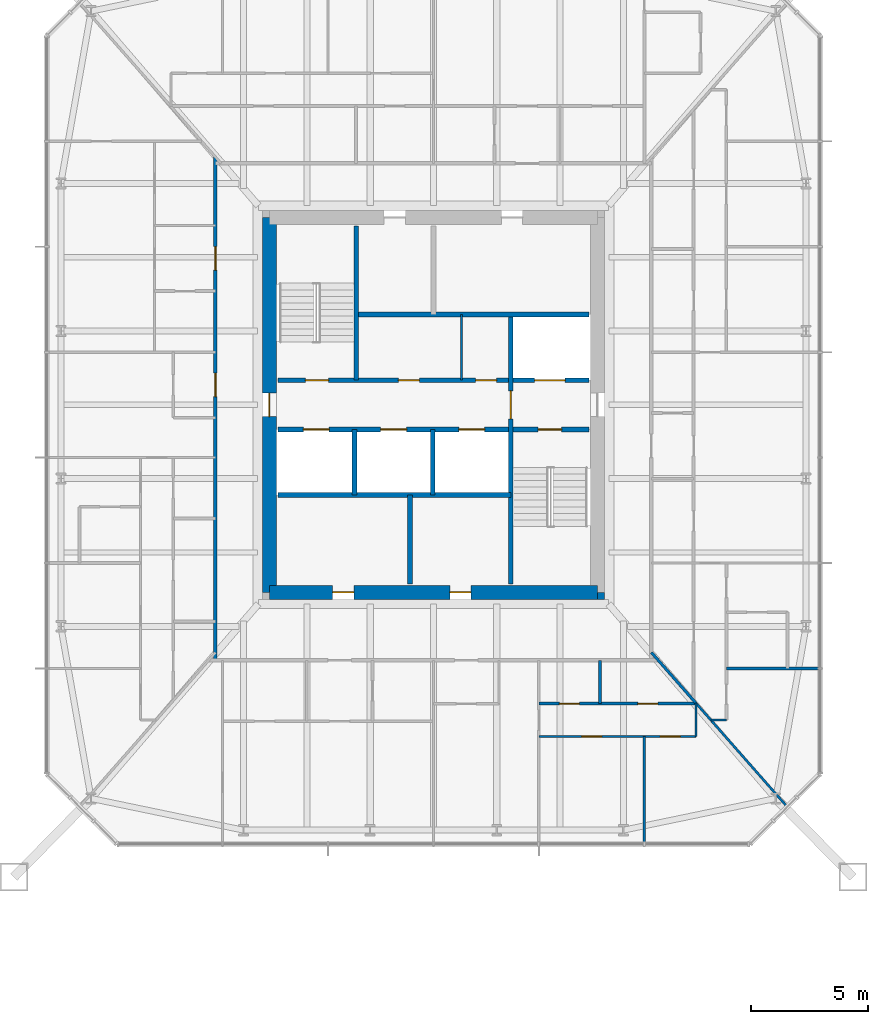
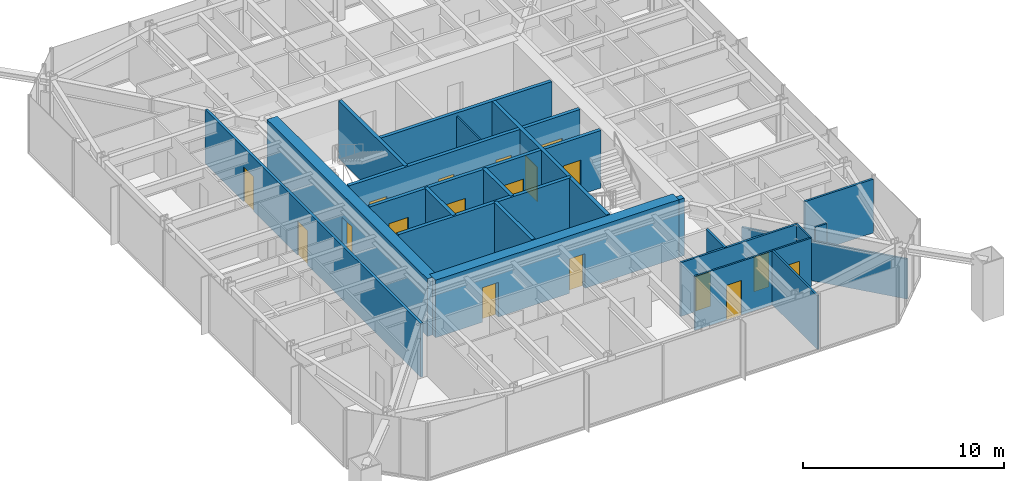
# One storey, part 19 of 26: 23 walls, 18 doors, 18 openings.
"""IFC4 building model written with IfcOpenShell, lengths in metres."""

from ifc_helpers import new_model, si_unit, direction, frame, frame_2d, origin, place, context, subcontext, project, spatial, rectangle, extrude, material, layer, layer_set, type_object, element, fill, save


model = new_model("IFC4")

# Units and contexts
model_context = context("Model", 3, precision=1e-05, world=origin(), true_north=direction((0.0, 1.0)))
body_context = subcontext(model_context, "Body", "Model", "MODEL_VIEW")
ifc_project = project(units=[si_unit("LENGTHUNIT", "METRE"), si_unit("AREAUNIT", "SQUARE_METRE"), si_unit("VOLUMEUNIT", "CUBIC_METRE"), si_unit("PLANEANGLEUNIT", "RADIAN"), si_unit("MASSUNIT", "GRAM", prefix="KILO")], contexts=[model_context])

# Site, building, storey
site_placement = place(None, origin())
site = spatial("IfcSite", under=ifc_project, at=site_placement, CompositionType="ELEMENT")
building_placement = place(site_placement, origin())
building = spatial("IfcBuilding", under=site, at=building_placement, Name="Iwan Alto Co-Living Towers", CompositionType="ELEMENT")
storey_placement = place(building_placement, frame((0.0, 0.0, 60.5)))
storey = spatial("IfcBuildingStorey", under=building, at=storey_placement, Name="L16", CompositionType="ELEMENT", Elevation=60.5)

# Wall, openings, doors
ifc_material_1 = material(Name="Gypsum board")
ifc_layer_1 = layer(ifc_material_1, 0.02490234375, Name="Board", Category="Finish")
ifc_material_2 = material(Name="Steel ASTM A1003 ST33H cold-formed studs", Category="steel")
ifc_layer_2 = layer(ifc_material_2, 0.10009765625, Name="Studs", Category="Framing")
ifc_layer_3 = layer(ifc_material_1, 0.02490234375, Name="Board", Category="Finish")
ifc_layer_set_1 = layer_set([ifc_layer_1, ifc_layer_2, ifc_layer_3], Name="CORRIDOR WALL 150")
wall_type_1 = type_object("IfcWallType", Name="CORRIDOR WALL 150", PredefinedType="PARTITIONING", material=ifc_layer_set_1)
wall_1_placement = place(storey_placement, frame((53.699951171875, -10.89990234375, 0.0), z_axis=(0.0, 0.0, 1.0), x_axis=(0.0, 1.0, 0.0)))
wall_1 = element("IfcWall", 1, at=wall_1_placement, inside=storey, type_object=wall_type_1, Name="Partition L16", PredefinedType="PARTITIONING", context=body_context, shape_type="SweptSolid", body=[
    extrude(rectangle(XDim=21.468017578125, YDim=0.14990234375, at=frame_2d((10.73388671875, 0.0))), origin(), (0.0, 0.0, 1.0), 3.27001953125),
])
opening_1_placement = place(wall_1_placement, frame((16.64990234375, 0.0, 0.0)))
opening_1 = element("IfcOpeningElement", 2, at=opening_1_placement, cuts=wall_1, Name="Opening D3", PredefinedType="OPENING", context=body_context, shape_type="SweptSolid", body=[
    extrude(rectangle(XDim=1.0, YDim=2.10009765625, at=frame_2d((0.5, 1.050048828125))), frame((0.0, 0.0849609375, 0.0), z_axis=(0.0, -1.0, 0.0), x_axis=(1.0, 0.0, 0.0)), (0.0, 0.0, 1.0), 0.169921875),
])
opening_2_placement = place(wall_1_placement, frame((11.25, 0.0, 0.0)))
opening_2 = element("IfcOpeningElement", 3, at=opening_2_placement, cuts=wall_1, Name="Opening D3", PredefinedType="OPENING", context=body_context, shape_type="SweptSolid", body=[
    extrude(rectangle(XDim=1.0, YDim=2.10009765625, at=frame_2d((0.5, 1.050048828125))), frame((0.0, 0.0849609375, 0.0), z_axis=(0.0, -1.0, 0.0), x_axis=(1.0, 0.0, 0.0)), (0.0, 0.0, 1.0), 0.169921875),
])
ifc_material_3 = material(Name="Steel frame with timber leaf", Category="steel")
door_type_1 = type_object("IfcDoorType", Name="FLAT ENTRANCE DOOR FD30S 1000X2100", OperationType="SINGLE_SWING_LEFT", PredefinedType="DOOR", material=ifc_material_3)
door_1_placement = place(opening_1_placement, origin())
door_1 = element("IfcDoor", 4, at=door_1_placement, inside=storey, type_object=door_type_1, Name="Apartment foyer door L16", OperationType="SINGLE_SWING_LEFT", OverallHeight=2.10009765625, OverallWidth=1.0, PredefinedType="DOOR", context=body_context, shape_type="SweptSolid", body=[
    extrude(rectangle(XDim=1.0, YDim=2.10009765625, at=frame_2d((0.5, 1.050048828125))), frame((0.0, 0.02490234375, 0.0), z_axis=(0.0, -1.0, 0.0), x_axis=(1.0, 0.0, 0.0)), (0.0, 0.0, 1.0), 0.050048828125),
])
fill(opening_1, door_1)
door_2_placement = place(opening_2_placement, origin())
door_2 = element("IfcDoor", 5, at=door_2_placement, inside=storey, type_object=door_type_1, Name="Apartment foyer door L16", OperationType="SINGLE_SWING_LEFT", OverallHeight=2.10009765625, OverallWidth=1.0, PredefinedType="DOOR", context=body_context, shape_type="SweptSolid", body=[
    extrude(rectangle(XDim=1.0, YDim=2.10009765625, at=frame_2d((0.5, 1.050048828125))), frame((0.0, 0.02490234375, 0.0), z_axis=(0.0, -1.0, 0.0), x_axis=(1.0, 0.0, 0.0)), (0.0, 0.0, 1.0), 0.050048828125),
])
fill(opening_2, door_2)

ifc_layer_4 = layer(ifc_material_1, 0.012451171875, Name="Board", Category="Finish")
ifc_layer_5 = layer(ifc_material_2, 0.074951171875, Name="Studs", Category="Framing")
ifc_layer_6 = layer(ifc_material_1, 0.012451171875, Name="Board", Category="Finish")
ifc_layer_set_2 = layer_set([ifc_layer_4, ifc_layer_5, ifc_layer_6], Name="PARTITION 100")
wall_type_2 = type_object("IfcWallType", Name="PARTITION 100", PredefinedType="PARTITIONING", material=ifc_layer_set_2)
wall_2_placement = place(storey_placement, frame((67.5, -14.14990234375, 0.0), z_axis=(0.0, 0.0, 1.0), x_axis=(1.0, 0.0, 0.0)))
wall_2 = element("IfcWall", 6, at=wall_2_placement, inside=storey, type_object=wall_type_2, Name="Partition L16", PredefinedType="PARTITIONING", context=body_context, shape_type="SweptSolid", body=[
    extrude(rectangle(XDim=6.699951171875, YDim=0.10009765625, at=frame_2d((3.35009765625, 0.0))), origin(), (0.0, 0.0, 1.0), 3.27001953125),
])
opening_3_placement = place(wall_2_placement, frame((1.824951171875, 0.0, 0.0)))
opening_3 = element("IfcOpeningElement", 7, at=opening_3_placement, cuts=wall_2, Name="Opening D2", PredefinedType="OPENING", context=body_context, shape_type="SweptSolid", body=[
    extrude(rectangle(XDim=0.85009765625, YDim=2.10009765625, at=frame_2d((0.425048828125, 1.050048828125))), frame((0.0, 0.06005859375, 0.0), z_axis=(0.0, -1.0, 0.0), x_axis=(1.0, 0.0, 0.0)), (0.0, 0.0, 1.0), 0.1201171875),
])
opening_4_placement = place(wall_2_placement, frame((5.175048828125, 0.0, 0.0)))
opening_4 = element("IfcOpeningElement", 8, at=opening_4_placement, cuts=wall_2, Name="Opening D2", PredefinedType="OPENING", context=body_context, shape_type="SweptSolid", body=[
    extrude(rectangle(XDim=0.85009765625, YDim=2.10009765625, at=frame_2d((0.425048828125, 1.050048828125))), frame((0.0, 0.06005859375, 0.0), z_axis=(0.0, -1.0, 0.0), x_axis=(1.0, 0.0, 0.0)), (0.0, 0.0, 1.0), 0.1201171875),
])
ifc_material_4 = material(Name="Timber leaf in steel frame", Category="steel")
door_type_2 = type_object("IfcDoorType", Name="ROOM DOOR 850X2100", OperationType="SINGLE_SWING_LEFT", PredefinedType="DOOR", material=ifc_material_4)
door_3_placement = place(opening_3_placement, frame((0.85009765625, 0.0, 0.0), z_axis=(0.0, 0.0, 1.0), x_axis=(-1.0, 0.0, 0.0)))
door_3 = element("IfcDoor", 9, at=door_3_placement, inside=storey, type_object=door_type_2, Name="Study door L16", OperationType="SINGLE_SWING_RIGHT", OverallHeight=2.10009765625, OverallWidth=0.85009765625, PredefinedType="DOOR", context=body_context, shape_type="SweptSolid", body=[
    extrude(rectangle(XDim=0.85009765625, YDim=2.10009765625, at=frame_2d((0.425048828125, 1.050048828125))), frame((0.0, 0.02490234375, 0.0), z_axis=(0.0, -1.0, 0.0), x_axis=(1.0, 0.0, 0.0)), (0.0, 0.0, 1.0), 0.050048828125),
])
fill(opening_3, door_3)
door_4_placement = place(opening_4_placement, frame((0.85009765625, 0.0, 0.0), z_axis=(0.0, 0.0, 1.0), x_axis=(-1.0, 0.0, 0.0)))
door_4 = element("IfcDoor", 10, at=door_4_placement, inside=storey, type_object=door_type_2, Name="Bedroom door L16", OperationType="SINGLE_SWING_RIGHT", OverallHeight=2.10009765625, OverallWidth=0.85009765625, PredefinedType="DOOR", context=body_context, shape_type="SweptSolid", body=[
    extrude(rectangle(XDim=0.85009765625, YDim=2.10009765625, at=frame_2d((0.425048828125, 1.050048828125))), frame((0.0, 0.02490234375, 0.0), z_axis=(0.0, -1.0, 0.0), x_axis=(1.0, 0.0, 0.0)), (0.0, 0.0, 1.0), 0.050048828125),
])
fill(opening_4, door_4)

# Walls
wall_3_placement = place(storey_placement, frame((74.8359375, -13.449951171875, 0.0), z_axis=(0.0, 0.0, 1.0), x_axis=(1.0, 0.0, 0.0)))
element("IfcWall", 11, at=wall_3_placement, inside=storey, type_object=wall_type_2, Name="Partition L16", PredefinedType="PARTITIONING", context=body_context, shape_type="SweptSolid", body=[
    extrude(rectangle(XDim=0.6640625, YDim=0.10009765625, at=frame_2d((0.33203125, 0.0))), origin(), (0.0, 0.0, 1.0), 3.27001953125),
])
wall_4_placement = place(storey_placement, frame((74.199951171875, -14.14990234375, 0.0), z_axis=(0.0, 0.0, 1.0), x_axis=(0.0, 1.0, 0.0)))
element("IfcWall", 12, at=wall_4_placement, inside=storey, type_object=wall_type_2, Name="Partition L16", PredefinedType="PARTITIONING", context=body_context, shape_type="SweptSolid", body=[
    extrude(rectangle(XDim=1.4228515625, YDim=0.10009765625, at=frame_2d((0.71142578125, 0.0))), origin(), (0.0, 0.0, 1.0), 3.27001953125),
])
wall_5_placement = place(storey_placement, frame((72.0, -18.68994140625, 0.0), z_axis=(0.0, 0.0, 1.0), x_axis=(0.0, 1.0, 0.0)))
element("IfcWall", 13, at=wall_5_placement, inside=storey, type_object=wall_type_2, Name="Partition L16", PredefinedType="PARTITIONING", context=body_context, shape_type="SweptSolid", body=[
    extrude(rectangle(XDim=4.5400390625, YDim=0.10009765625, at=frame_2d((2.27001953125, 0.0))), origin(), (0.0, 0.0, 1.0), 3.27001953125),
])
wall_6_placement = place(storey_placement, frame((64.199951171875, 1.050048828125, 0.0), z_axis=(0.0, 0.0, 1.0), x_axis=(0.0, 1.0, 0.0)))
element("IfcWall", 14, at=wall_6_placement, inside=storey, type_object=wall_type_2, Name="Partition L16", PredefinedType="PARTITIONING", context=body_context, shape_type="SweptSolid", body=[
    extrude(rectangle(XDim=2.800048828125, YDim=0.10009765625, at=frame_2d((1.39990234375, 0.0))), origin(), (0.0, 0.0, 1.0), 3.300048828125),
])
wall_7_placement = place(storey_placement, frame((78.056640625, -17.109375, 0.0), z_axis=(0.0, 0.0, 1.0), x_axis=(-0.660654290516, 0.750690287951, 0.0)))
element("IfcWall", 15, at=wall_7_placement, inside=storey, type_object=wall_type_2, Name="Partition L16", PredefinedType="PARTITIONING", context=body_context, shape_type="SweptSolid", body=[
    extrude(rectangle(XDim=5.838134765625, YDim=0.10009765625, at=frame_2d((2.9189453125, 0.0))), origin(), (0.0, 0.0, 1.0), 2.42919921875),
])
ifc_material_5 = material(Name="Concrete f'c 70 MPa", Category="concrete")
ifc_layer_7 = layer(ifc_material_5, 0.199951171875)
ifc_layer_set_3 = layer_set([ifc_layer_7], Name="SHAFT WALL 200")
wall_type_3 = type_object("IfcWallType", Name="SHAFT WALL 200", PredefinedType="SOLIDWALL", material=ifc_layer_set_3)
wall_8_placement = place(storey_placement, frame((56.360107421875, -3.85009765625, 0.0), z_axis=(0.0, 0.0, 1.0), x_axis=(1.0, 0.0, 0.0)))
element("IfcWall", 16, at=wall_8_placement, inside=storey, type_object=wall_type_3, Name="Shaft wall L16", PredefinedType="SOLIDWALL", context=body_context, shape_type="SweptSolid", body=[
    extrude(rectangle(XDim=9.93994140625, YDim=0.199951171875, at=frame_2d((4.969970703125, 0.0))), origin(), (0.0, 0.0, 1.0), 3.5),
])

# Wall, openings, doors
wall_9_placement = place(storey_placement, frame((56.360107421875, -1.050048828125, 0.0), z_axis=(0.0, 0.0, 1.0), x_axis=(1.0, 0.0, 0.0)))
wall_9 = element("IfcWall", 17, at=wall_9_placement, inside=storey, type_object=wall_type_3, Name="Shaft wall L16", PredefinedType="SOLIDWALL", context=body_context, shape_type="SweptSolid", body=[
    extrude(rectangle(XDim=13.27978515625, YDim=0.199951171875, at=frame_2d((6.639892578125, 0.0))), origin(), (0.0, 0.0, 1.0), 3.5),
])
opening_5_placement = place(wall_9_placement, frame((11.110107421875, 0.0, 0.0)))
opening_5 = element("IfcOpeningElement", 18, at=opening_5_placement, cuts=wall_9, Name="Opening D5", PredefinedType="OPENING", context=body_context, shape_type="SweptSolid", body=[
    extrude(rectangle(XDim=1.0, YDim=2.10009765625, at=frame_2d((0.5, 1.050048828125))), frame((0.0, 0.10986328125, 0.0), z_axis=(0.0, -1.0, 0.0), x_axis=(1.0, 0.0, 0.0)), (0.0, 0.0, 1.0), 0.219970703125),
])
opening_6_placement = place(wall_9_placement, frame((1.0869140625, 0.0, 0.0)))
opening_6 = element("IfcOpeningElement", 19, at=opening_6_placement, cuts=wall_9, Name="Opening LD", PredefinedType="OPENING", context=body_context, shape_type="SweptSolid", body=[
    extrude(rectangle(XDim=1.10009765625, YDim=2.10009765625, at=frame_2d((0.550048828125, 1.050048828125))), frame((0.0, 0.10986328125, 0.0), z_axis=(0.0, -1.0, 0.0), x_axis=(1.0, 0.0, 0.0)), (0.0, 0.0, 1.0), 0.219970703125),
])
opening_7_placement = place(wall_9_placement, frame((4.389892578125, 0.0, 0.0)))
opening_7 = element("IfcOpeningElement", 20, at=opening_7_placement, cuts=wall_9, Name="Opening LD", PredefinedType="OPENING", context=body_context, shape_type="SweptSolid", body=[
    extrude(rectangle(XDim=1.10009765625, YDim=2.10009765625, at=frame_2d((0.550048828125, 1.050048828125))), frame((0.0, 0.10986328125, 0.0), z_axis=(0.0, -1.0, 0.0), x_axis=(1.0, 0.0, 0.0)), (0.0, 0.0, 1.0), 0.219970703125),
])
opening_8_placement = place(wall_9_placement, frame((7.72412109375, 0.0, 0.0)))
opening_8 = element("IfcOpeningElement", 21, at=opening_8_placement, cuts=wall_9, Name="Opening LD", PredefinedType="OPENING", context=body_context, shape_type="SweptSolid", body=[
    extrude(rectangle(XDim=1.10009765625, YDim=2.10009765625, at=frame_2d((0.550048828125, 1.050048828125))), frame((0.0, 0.10986328125, 0.0), z_axis=(0.0, -1.0, 0.0), x_axis=(1.0, 0.0, 0.0)), (0.0, 0.0, 1.0), 0.219970703125),
])
ifc_material_6 = material(Name="Steel frame with timber leaf", Category="steel")
door_type_3 = type_object("IfcDoorType", Name="LIFT LANDING DOOR 1100X2100", OperationType="DOUBLE_DOOR_SLIDING", PredefinedType="DOOR", material=ifc_material_6)
door_5_placement = place(opening_6_placement, origin())
door_5 = element("IfcDoor", 22, at=door_5_placement, inside=storey, type_object=door_type_3, Name="Lift P5-1 landing door L16", OperationType="DOUBLE_DOOR_SLIDING", OverallHeight=2.10009765625, OverallWidth=1.10009765625, PredefinedType="DOOR", context=body_context, shape_type="SweptSolid", body=[
    extrude(rectangle(XDim=1.10009765625, YDim=2.10009765625, at=frame_2d((0.550048828125, 1.050048828125))), frame((0.0, 0.02490234375, 0.0), z_axis=(0.0, -1.0, 0.0), x_axis=(1.0, 0.0, 0.0)), (0.0, 0.0, 1.0), 0.050048828125),
])
fill(opening_6, door_5)
door_6_placement = place(opening_7_placement, origin())
door_6 = element("IfcDoor", 23, at=door_6_placement, inside=storey, type_object=door_type_3, Name="Lift P5-2 landing door L16", OperationType="DOUBLE_DOOR_SLIDING", OverallHeight=2.10009765625, OverallWidth=1.10009765625, PredefinedType="DOOR", context=body_context, shape_type="SweptSolid", body=[
    extrude(rectangle(XDim=1.10009765625, YDim=2.10009765625, at=frame_2d((0.550048828125, 1.050048828125))), frame((0.0, 0.02490234375, 0.0), z_axis=(0.0, -1.0, 0.0), x_axis=(1.0, 0.0, 0.0)), (0.0, 0.0, 1.0), 0.050048828125),
])
fill(opening_7, door_6)
door_7_placement = place(opening_8_placement, origin())
door_7 = element("IfcDoor", 24, at=door_7_placement, inside=storey, type_object=door_type_3, Name="Lift P6-3 landing door L16", OperationType="DOUBLE_DOOR_SLIDING", OverallHeight=2.10009765625, OverallWidth=1.10009765625, PredefinedType="DOOR", context=body_context, shape_type="SweptSolid", body=[
    extrude(rectangle(XDim=1.10009765625, YDim=2.10009765625, at=frame_2d((0.550048828125, 1.050048828125))), frame((0.0, 0.02490234375, 0.0), z_axis=(0.0, -1.0, 0.0), x_axis=(1.0, 0.0, 0.0)), (0.0, 0.0, 1.0), 0.050048828125),
])
fill(opening_8, door_7)
ifc_material_7 = material(Name="Steel frame with timber leaf", Category="steel")
door_type_4 = type_object("IfcDoorType", Name="STAIR DOOR FD120S 1000X2100", OperationType="SINGLE_SWING_LEFT", PredefinedType="DOOR", material=ifc_material_7)
door_8_placement = place(opening_5_placement, frame((1.0, 0.0, 0.0), z_axis=(0.0, 0.0, 1.0), x_axis=(-1.0, 0.0, 0.0)))
door_8 = element("IfcDoor", 25, at=door_8_placement, inside=storey, type_object=door_type_4, Name="Stair S2 door L16", OperationType="SINGLE_SWING_RIGHT", OverallHeight=2.10009765625, OverallWidth=1.0, PredefinedType="DOOR", context=body_context, shape_type="SweptSolid", body=[
    extrude(rectangle(XDim=1.0, YDim=2.10009765625, at=frame_2d((0.5, 1.050048828125))), frame((0.0, 0.02490234375, 0.0), z_axis=(0.0, -1.0, 0.0), x_axis=(1.0, 0.0, 0.0)), (0.0, 0.0, 1.0), 0.050048828125),
])
fill(opening_5, door_8)

wall_10_placement = place(storey_placement, frame((56.360107421875, 1.050048828125, 0.0), z_axis=(0.0, 0.0, 1.0), x_axis=(1.0, 0.0, 0.0)))
wall_10 = element("IfcWall", 26, at=wall_10_placement, inside=storey, type_object=wall_type_3, Name="Shaft wall L16", PredefinedType="SOLIDWALL", context=body_context, shape_type="SweptSolid", body=[
    extrude(rectangle(XDim=13.27978515625, YDim=0.199951171875, at=frame_2d((6.639892578125, 0.0))), origin(), (0.0, 0.0, 1.0), 3.5),
])
opening_9_placement = place(wall_10_placement, frame((1.169921875, 0.0, 0.0)))
opening_9 = element("IfcOpeningElement", 27, at=opening_9_placement, cuts=wall_10, Name="Opening D5", PredefinedType="OPENING", context=body_context, shape_type="SweptSolid", body=[
    extrude(rectangle(XDim=1.0, YDim=2.10009765625, at=frame_2d((0.5, 1.050048828125))), frame((0.0, 0.10986328125, 0.0), z_axis=(0.0, -1.0, 0.0), x_axis=(1.0, 0.0, 0.0)), (0.0, 0.0, 1.0), 0.219970703125),
])
opening_10_placement = place(wall_10_placement, frame((5.139892578125, 0.0, 0.0)))
opening_10 = element("IfcOpeningElement", 28, at=opening_10_placement, cuts=wall_10, Name="Opening D8", PredefinedType="OPENING", context=body_context, shape_type="SweptSolid", body=[
    extrude(rectangle(XDim=0.89990234375, YDim=2.10009765625, at=frame_2d((0.449951171875, 1.050048828125))), frame((0.0, 0.10986328125, 0.0), z_axis=(0.0, -1.0, 0.0), x_axis=(1.0, 0.0, 0.0)), (0.0, 0.0, 1.0), 0.219970703125),
])
opening_11_placement = place(wall_10_placement, frame((8.43994140625, 0.0, 0.0)))
opening_11 = element("IfcOpeningElement", 29, at=opening_11_placement, cuts=wall_10, Name="Opening D15", PredefinedType="OPENING", context=body_context, shape_type="SweptSolid", body=[
    extrude(rectangle(XDim=0.89990234375, YDim=2.10009765625, at=frame_2d((0.449951171875, 1.050048828125))), frame((0.0, 0.10986328125, 0.0), z_axis=(0.0, -1.0, 0.0), x_axis=(1.0, 0.0, 0.0)), (0.0, 0.0, 1.0), 0.219970703125),
])
opening_12_placement = place(wall_10_placement, frame((10.9599609375, 0.0, 0.0)))
opening_12 = element("IfcOpeningElement", 30, at=opening_12_placement, cuts=wall_10, Name="Opening LD2", PredefinedType="OPENING", context=body_context, shape_type="SweptSolid", body=[
    extrude(rectangle(XDim=1.300048828125, YDim=2.10009765625, at=frame_2d((0.64990234375, 1.050048828125))), frame((0.0, 0.10986328125, 0.0), z_axis=(0.0, -1.0, 0.0), x_axis=(1.0, 0.0, 0.0)), (0.0, 0.0, 1.0), 0.219970703125),
])
ifc_material_8 = material(Name="Steel frame with timber leaf", Category="steel")
door_type_5 = type_object("IfcDoorType", Name="CORE ROOM DOOR FD60S 900X2100", OperationType="SINGLE_SWING_LEFT", PredefinedType="DOOR", material=ifc_material_8)
door_9_placement = place(opening_11_placement, origin())
door_9 = element("IfcDoor", 31, at=door_9_placement, inside=storey, type_object=door_type_5, Name="Housekeeping store door L16", OperationType="SINGLE_SWING_LEFT", OverallHeight=2.10009765625, OverallWidth=0.89990234375, PredefinedType="DOOR", context=body_context, shape_type="SweptSolid", body=[
    extrude(rectangle(XDim=0.89990234375, YDim=2.10009765625, at=frame_2d((0.449951171875, 1.050048828125))), frame((0.0, 0.02490234375, 0.0), z_axis=(0.0, -1.0, 0.0), x_axis=(1.0, 0.0, 0.0)), (0.0, 0.0, 1.0), 0.050048828125),
])
fill(opening_11, door_9)
ifc_material_9 = material(Name="Steel frame with timber leaf", Category="steel")
door_type_6 = type_object("IfcDoorType", Name="LIFT LANDING DOOR 1300X2100", OperationType="SLIDING_TO_LEFT", PredefinedType="DOOR", material=ifc_material_9)
door_10_placement = place(opening_12_placement, origin())
door_10 = element("IfcDoor", 32, at=door_10_placement, inside=storey, type_object=door_type_6, Name="Lift FL2 landing door L16", OperationType="SLIDING_TO_LEFT", OverallHeight=2.10009765625, OverallWidth=1.300048828125, PredefinedType="DOOR", context=body_context, shape_type="SweptSolid", body=[
    extrude(rectangle(XDim=1.300048828125, YDim=2.10009765625, at=frame_2d((0.64990234375, 1.050048828125))), frame((0.0, 0.02490234375, 0.0), z_axis=(0.0, -1.0, 0.0), x_axis=(1.0, 0.0, 0.0)), (0.0, 0.0, 1.0), 0.050048828125),
])
fill(opening_12, door_10)
ifc_material_10 = material(Name="Steel frame with timber leaf", Category="steel")
door_type_7 = type_object("IfcDoorType", Name="RISER DOOR FD120 900X2100", OperationType="SINGLE_SWING_LEFT", PredefinedType="DOOR", material=ifc_material_10)
door_11_placement = place(opening_10_placement, origin())
door_11 = element("IfcDoor", 33, at=door_11_placement, inside=storey, type_object=door_type_7, Name="Riser room door L16", OperationType="SINGLE_SWING_LEFT", OverallHeight=2.10009765625, OverallWidth=0.89990234375, PredefinedType="DOOR", context=body_context, shape_type="SweptSolid", body=[
    extrude(rectangle(XDim=0.89990234375, YDim=2.10009765625, at=frame_2d((0.449951171875, 1.050048828125))), frame((0.0, 0.02490234375, 0.0), z_axis=(0.0, -1.0, 0.0), x_axis=(1.0, 0.0, 0.0)), (0.0, 0.0, 1.0), 0.050048828125),
])
fill(opening_10, door_11)
door_12_placement = place(opening_9_placement, origin())
door_12 = element("IfcDoor", 34, at=door_12_placement, inside=storey, type_object=door_type_4, Name="Stair S1 door L16", OperationType="SINGLE_SWING_RIGHT", OverallHeight=2.10009765625, OverallWidth=1.0, PredefinedType="DOOR", context=body_context, shape_type="SweptSolid", body=[
    extrude(rectangle(XDim=1.0, YDim=2.10009765625, at=frame_2d((0.5, 1.050048828125))), frame((0.0, 0.02490234375, 0.0), z_axis=(0.0, -1.0, 0.0), x_axis=(1.0, 0.0, 0.0)), (0.0, 0.0, 1.0), 0.050048828125),
])
fill(opening_9, door_12)

# Wall
wall_11_placement = place(storey_placement, frame((59.699951171875, 3.85009765625, 0.0), z_axis=(0.0, 0.0, 1.0), x_axis=(1.0, 0.0, 0.0)))
element("IfcWall", 35, at=wall_11_placement, inside=storey, type_object=wall_type_3, Name="Shaft wall L16", PredefinedType="SOLIDWALL", context=body_context, shape_type="SweptSolid", body=[
    extrude(rectangle(XDim=9.93994140625, YDim=0.199951171875, at=frame_2d((4.969970703125, 0.0))), origin(), (0.0, 0.0, 1.0), 3.5),
])

# Wall, opening, door
wall_12_placement = place(storey_placement, frame((66.300048828125, -7.639892578125, 0.0), z_axis=(0.0, 0.0, 1.0), x_axis=(0.0, 1.0, 0.0)))
wall_12 = element("IfcWall", 36, at=wall_12_placement, inside=storey, type_object=wall_type_3, Name="Shaft wall L16", PredefinedType="SOLIDWALL", context=body_context, shape_type="SweptSolid", body=[
    extrude(rectangle(XDim=11.489990234375, YDim=0.199951171875, at=frame_2d((5.7451171875, 0.0))), origin(), (0.0, 0.0, 1.0), 3.5),
])
opening_13_placement = place(wall_12_placement, frame((7.0400390625, 0.0, 0.0)))
opening_13 = element("IfcOpeningElement", 37, at=opening_13_placement, cuts=wall_12, Name="Opening D6", PredefinedType="OPENING", context=body_context, shape_type="SweptSolid", body=[
    extrude(rectangle(XDim=1.199951171875, YDim=2.10009765625, at=frame_2d((0.60009765625, 1.050048828125))), frame((0.0, 0.10986328125, 0.0), z_axis=(0.0, -1.0, 0.0), x_axis=(1.0, 0.0, 0.0)), (0.0, 0.0, 1.0), 0.219970703125),
])
ifc_material_11 = material(Name="Steel frame with timber leaf", Category="steel")
door_type_8 = type_object("IfcDoorType", Name="LOBBY DOOR FD120S 1200X2100", OperationType="SINGLE_SWING_LEFT", PredefinedType="DOOR", material=ifc_material_11)
door_13_placement = place(opening_13_placement, frame((1.199951171875, 0.0, 0.0), z_axis=(0.0, 0.0, 1.0), x_axis=(-1.0, 0.0, 0.0)))
door_13 = element("IfcDoor", 38, at=door_13_placement, inside=storey, type_object=door_type_8, Name="Firefighting lobby door L16", OperationType="SINGLE_SWING_RIGHT", OverallHeight=2.10009765625, OverallWidth=1.199951171875, PredefinedType="DOOR", context=body_context, shape_type="SweptSolid", body=[
    extrude(rectangle(XDim=1.199951171875, YDim=2.10009765625, at=frame_2d((0.60009765625, 1.050048828125))), frame((0.0, 0.02490234375, 0.0), z_axis=(0.0, -1.0, 0.0), x_axis=(1.0, 0.0, 0.0)), (0.0, 0.0, 1.0), 0.050048828125),
])
fill(opening_13, door_13)

# Walls
wall_13_placement = place(storey_placement, frame((62.967041015625, -3.85009765625, 0.0), z_axis=(0.0, 0.0, 1.0), x_axis=(0.0, 1.0, 0.0)))
element("IfcWall", 39, at=wall_13_placement, inside=storey, type_object=wall_type_3, Name="Shaft wall L16", PredefinedType="SOLIDWALL", context=body_context, shape_type="SweptSolid", body=[
    extrude(rectangle(XDim=2.800048828125, YDim=0.199951171875, at=frame_2d((1.39990234375, 0.0))), origin(), (0.0, 0.0, 1.0), 3.5),
])
wall_14_placement = place(storey_placement, frame((62.0, -7.639892578125, 0.0), z_axis=(0.0, 0.0, 1.0), x_axis=(0.0, 1.0, 0.0)))
element("IfcWall", 40, at=wall_14_placement, inside=storey, type_object=wall_type_3, Name="Shaft wall L16", PredefinedType="SOLIDWALL", context=body_context, shape_type="SweptSolid", body=[
    extrude(rectangle(XDim=3.789794921875, YDim=0.199951171875, at=frame_2d((1.89501953125, 0.0))), origin(), (0.0, 0.0, 1.0), 3.5),
])
wall_15_placement = place(storey_placement, frame((59.699951171875, 1.050048828125, 0.0), z_axis=(0.0, 0.0, 1.0), x_axis=(0.0, 1.0, 0.0)))
element("IfcWall", 41, at=wall_15_placement, inside=storey, type_object=wall_type_3, Name="Shaft wall L16", PredefinedType="SOLIDWALL", context=body_context, shape_type="SweptSolid", body=[
    extrude(rectangle(XDim=6.58984375, YDim=0.199951171875, at=frame_2d((3.294921875, 0.0))), origin(), (0.0, 0.0, 1.0), 3.5),
])
wall_16_placement = place(storey_placement, frame((59.633056640625, -3.85009765625, 0.0), z_axis=(0.0, 0.0, 1.0), x_axis=(0.0, 1.0, 0.0)))
element("IfcWall", 42, at=wall_16_placement, inside=storey, type_object=wall_type_3, Name="Shaft wall L16", PredefinedType="SOLIDWALL", context=body_context, shape_type="SweptSolid", body=[
    extrude(rectangle(XDim=2.800048828125, YDim=0.199951171875, at=frame_2d((1.39990234375, 0.0))), origin(), (0.0, 0.0, 1.0), 3.5),
])
ifc_material_12 = material(Name="Concrete f'c 70 MPa", Category="concrete")
ifc_layer_8 = layer(ifc_material_12, 0.300048828125)
ifc_layer_set_4 = layer_set([ifc_layer_8], Name="T2 CORE CORNER FILL 300")
wall_type_4 = type_object("IfcWallType", Name="T2 CORE CORNER FILL 300", PredefinedType="SOLIDWALL", material=ifc_layer_set_4)
wall_17_placement = place(storey_placement, frame((70.0, -8.14990234375, 0.0), z_axis=(0.0, 0.0, 1.0), x_axis=(1.0, 0.0, 0.0)))
element("IfcWall", 43, at=wall_17_placement, inside=storey, type_object=wall_type_4, Name="T2 core corner SE L16", PredefinedType="SOLIDWALL", context=body_context, shape_type="SweptSolid", body=[
    extrude(rectangle(XDim=0.300048828125, YDim=0.300048828125, at=frame_2d((0.14990234375, 0.0))), origin(), (0.0, 0.0, 1.0), 3.5),
])

# Wall, openings, doors
ifc_material_13 = material(Name="Concrete f'c 70 MPa", Category="concrete")
ifc_layer_9 = layer(ifc_material_13, 0.60009765625)
ifc_layer_set_5 = layer_set([ifc_layer_9], Name="T2 CORE WALL 600")
wall_type_5 = type_object("IfcWallType", Name="T2 CORE WALL 600", PredefinedType="SHEAR", material=ifc_layer_set_5)
wall_18_placement = place(storey_placement, frame((56.0, -8.0, 0.0), z_axis=(0.0, 0.0, 1.0), x_axis=(1.0, 0.0, 0.0)))
wall_18 = element("IfcWall", 44, at=wall_18_placement, inside=storey, type_object=wall_type_5, Name="T2 core wall S L16", PredefinedType="SHEAR", context=body_context, shape_type="SweptSolid", body=[
    extrude(rectangle(XDim=14.0, YDim=0.60009765625, at=frame_2d((7.0, 0.0))), origin(), (0.0, 0.0, 1.0), 3.5),
])
opening_14_placement = place(wall_18_placement, frame((2.699951171875, 0.0, 0.0)))
opening_14 = element("IfcOpeningElement", 45, at=opening_14_placement, cuts=wall_18, Name="Opening D8", PredefinedType="OPENING", context=body_context, shape_type="SweptSolid", body=[
    extrude(rectangle(XDim=0.89990234375, YDim=2.10009765625, at=frame_2d((0.449951171875, 1.050048828125))), frame((0.0, 0.31005859375, 0.0), z_axis=(0.0, -1.0, 0.0), x_axis=(1.0, 0.0, 0.0)), (0.0, 0.0, 1.0), 0.6201171875),
])
opening_15_placement = place(wall_18_placement, frame((7.699951171875, 0.0, 0.0)))
opening_15 = element("IfcOpeningElement", 46, at=opening_15_placement, cuts=wall_18, Name="Opening D8", PredefinedType="OPENING", context=body_context, shape_type="SweptSolid", body=[
    extrude(rectangle(XDim=0.89990234375, YDim=2.10009765625, at=frame_2d((0.449951171875, 1.050048828125))), frame((0.0, 0.31005859375, 0.0), z_axis=(0.0, -1.0, 0.0), x_axis=(1.0, 0.0, 0.0)), (0.0, 0.0, 1.0), 0.6201171875),
])
door_14_placement = place(opening_14_placement, origin())
door_14 = element("IfcDoor", 47, at=door_14_placement, inside=storey, type_object=door_type_7, Name="Refuse room core door L16", OperationType="SINGLE_SWING_LEFT", OverallHeight=2.10009765625, OverallWidth=0.89990234375, PredefinedType="DOOR", context=body_context, shape_type="SweptSolid", body=[
    extrude(rectangle(XDim=0.89990234375, YDim=2.10009765625, at=frame_2d((0.449951171875, 1.050048828125))), frame((0.0, 0.02490234375, 0.0), z_axis=(0.0, -1.0, 0.0), x_axis=(1.0, 0.0, 0.0)), (0.0, 0.0, 1.0), 0.050048828125),
])
fill(opening_14, door_14)
door_15_placement = place(opening_15_placement, origin())
door_15 = element("IfcDoor", 48, at=door_15_placement, inside=storey, type_object=door_type_7, Name="Telecom riser core door L16", OperationType="SINGLE_SWING_LEFT", OverallHeight=2.10009765625, OverallWidth=0.89990234375, PredefinedType="DOOR", context=body_context, shape_type="SweptSolid", body=[
    extrude(rectangle(XDim=0.89990234375, YDim=2.10009765625, at=frame_2d((0.449951171875, 1.050048828125))), frame((0.0, 0.02490234375, 0.0), z_axis=(0.0, -1.0, 0.0), x_axis=(1.0, 0.0, 0.0)), (0.0, 0.0, 1.0), 0.050048828125),
])
fill(opening_15, door_15)

# Wall, opening, door
wall_19_placement = place(storey_placement, frame((56.0, 8.0, 0.0), z_axis=(0.0, 0.0, 1.0), x_axis=(0.0, -1.0, 0.0)))
wall_19 = element("IfcWall", 49, at=wall_19_placement, inside=storey, type_object=wall_type_5, Name="T2 core wall W L16", PredefinedType="SHEAR", context=body_context, shape_type="SweptSolid", body=[
    extrude(rectangle(XDim=16.0, YDim=0.60009765625, at=frame_2d((8.0, 0.0))), origin(), (0.0, 0.0, 1.0), 3.5),
])
opening_16_placement = place(wall_19_placement, frame((7.5, 0.0, 0.0)))
opening_16 = element("IfcOpeningElement", 50, at=opening_16_placement, cuts=wall_19, Name="Opening D7", PredefinedType="OPENING", context=body_context, shape_type="SweptSolid", body=[
    extrude(rectangle(XDim=1.0, YDim=2.10009765625, at=frame_2d((0.5, 1.050048828125))), frame((0.0, 0.31005859375, 0.0), z_axis=(0.0, -1.0, 0.0), x_axis=(1.0, 0.0, 0.0)), (0.0, 0.0, 1.0), 0.6201171875),
])
ifc_material_14 = material(Name="Steel frame with timber leaf", Category="steel")
door_type_9 = type_object("IfcDoorType", Name="CORE DOOR FD120S 1000X2100", OperationType="SINGLE_SWING_LEFT", PredefinedType="DOOR", material=ifc_material_14)
door_16_placement = place(opening_16_placement, origin())
door_16 = element("IfcDoor", 51, at=door_16_placement, inside=storey, type_object=door_type_9, Name="Lift lobby core door L16", OperationType="SINGLE_SWING_RIGHT", OverallHeight=2.10009765625, OverallWidth=1.0, PredefinedType="DOOR", context=body_context, shape_type="SweptSolid", body=[
    extrude(rectangle(XDim=1.0, YDim=2.10009765625, at=frame_2d((0.5, 1.050048828125))), frame((0.0, 0.02490234375, 0.0), z_axis=(0.0, -1.0, 0.0), x_axis=(1.0, 0.0, 0.0)), (0.0, 0.0, 1.0), 0.050048828125),
])
fill(opening_16, door_16)

# Wall, openings, doors
ifc_material_15 = material(Name="Cement board")
ifc_layer_10 = layer(ifc_material_15, 0.012451171875, Name="Board", Category="Finish")
ifc_layer_11 = layer(ifc_material_2, 0.094970703125, Name="Studs", Category="Framing")
ifc_layer_12 = layer(ifc_material_15, 0.012451171875, Name="Board", Category="Finish")
ifc_layer_set_6 = layer_set([ifc_layer_10, ifc_layer_11, ifc_layer_12], Name="WET AREA PARTITION 120")
wall_type_6 = type_object("IfcWallType", Name="WET AREA PARTITION 120", PredefinedType="PARTITIONING", material=ifc_layer_set_6)
wall_20_placement = place(storey_placement, frame((67.5, -12.75, 0.0), z_axis=(0.0, 0.0, 1.0), x_axis=(1.0, 0.0, 0.0)))
wall_20 = element("IfcWall", 52, at=wall_20_placement, inside=storey, type_object=wall_type_6, Name="Partition L16", PredefinedType="PARTITIONING", context=body_context, shape_type="SweptSolid", body=[
    extrude(rectangle(XDim=6.699951171875, YDim=0.1201171875, at=frame_2d((3.35009765625, 0.0))), origin(), (0.0, 0.0, 1.0), 3.27001953125),
])
opening_17_placement = place(wall_20_placement, frame((0.875, 0.0, 0.0)))
opening_17 = element("IfcOpeningElement", 53, at=opening_17_placement, cuts=wall_20, Name="Opening D2", PredefinedType="OPENING", context=body_context, shape_type="SweptSolid", body=[
    extrude(rectangle(XDim=0.85009765625, YDim=2.10009765625, at=frame_2d((0.425048828125, 1.050048828125))), frame((0.0, 0.070068359375, 0.0), z_axis=(0.0, -1.0, 0.0), x_axis=(1.0, 0.0, 0.0)), (0.0, 0.0, 1.0), 0.14013671875),
])
opening_18_placement = place(wall_20_placement, frame((4.22509765625, 0.0, 0.0)))
opening_18 = element("IfcOpeningElement", 54, at=opening_18_placement, cuts=wall_20, Name="Opening D2", PredefinedType="OPENING", context=body_context, shape_type="SweptSolid", body=[
    extrude(rectangle(XDim=0.85009765625, YDim=2.10009765625, at=frame_2d((0.425048828125, 1.050048828125))), frame((0.0, 0.070068359375, 0.0), z_axis=(0.0, -1.0, 0.0), x_axis=(1.0, 0.0, 0.0)), (0.0, 0.0, 1.0), 0.14013671875),
])
door_17_placement = place(opening_17_placement, origin())
door_17 = element("IfcDoor", 55, at=door_17_placement, inside=storey, type_object=door_type_2, Name="Bathroom door L16", OperationType="SINGLE_SWING_LEFT", OverallHeight=2.10009765625, OverallWidth=0.85009765625, PredefinedType="DOOR", context=body_context, shape_type="SweptSolid", body=[
    extrude(rectangle(XDim=0.85009765625, YDim=2.10009765625, at=frame_2d((0.425048828125, 1.050048828125))), frame((0.0, 0.02490234375, 0.0), z_axis=(0.0, -1.0, 0.0), x_axis=(1.0, 0.0, 0.0)), (0.0, 0.0, 1.0), 0.050048828125),
])
fill(opening_17, door_17)
door_18_placement = place(opening_18_placement, origin())
door_18 = element("IfcDoor", 56, at=door_18_placement, inside=storey, type_object=door_type_2, Name="Utility room door L16", OperationType="SINGLE_SWING_RIGHT", OverallHeight=2.10009765625, OverallWidth=0.85009765625, PredefinedType="DOOR", context=body_context, shape_type="SweptSolid", body=[
    extrude(rectangle(XDim=0.85009765625, YDim=2.10009765625, at=frame_2d((0.425048828125, 1.050048828125))), frame((0.0, 0.02490234375, 0.0), z_axis=(0.0, -1.0, 0.0), x_axis=(1.0, 0.0, 0.0)), (0.0, 0.0, 1.0), 0.050048828125),
])
fill(opening_18, door_18)

# Walls
wall_21_placement = place(storey_placement, frame((75.5, -11.25, 0.0), z_axis=(0.0, 0.0, 1.0), x_axis=(1.0, 0.0, 0.0)))
element("IfcWall", 57, at=wall_21_placement, inside=storey, type_object=wall_type_6, Name="Partition L16", PredefinedType="PARTITIONING", context=body_context, shape_type="SweptSolid", body=[
    extrude(rectangle(XDim=3.93994140625, YDim=0.1201171875, at=frame_2d((1.969970703125, 0.0))), origin(), (0.0, 0.0, 1.0), 3.27001953125),
])
wall_22_placement = place(storey_placement, frame((70.10009765625, -12.75, 0.0), z_axis=(0.0, 0.0, 1.0), x_axis=(0.0, 1.0, 0.0)))
element("IfcWall", 58, at=wall_22_placement, inside=storey, type_object=wall_type_6, Name="Partition L16", PredefinedType="PARTITIONING", context=body_context, shape_type="SweptSolid", body=[
    extrude(rectangle(XDim=1.85009765625, YDim=0.1201171875, at=frame_2d((0.925048828125, 0.0))), origin(), (0.0, 0.0, 1.0), 3.27001953125),
])
wall_23_placement = place(storey_placement, frame((74.199951171875, -12.72705078125, 0.0), z_axis=(0.0, 0.0, 1.0), x_axis=(-0.66059344937, 0.75074382758, 0.0)))
element("IfcWall", 59, at=wall_23_placement, inside=storey, type_object=wall_type_6, Name="Partition L16", PredefinedType="PARTITIONING", context=body_context, shape_type="SweptSolid", body=[
    extrude(rectangle(XDim=2.8759765625, YDim=0.1201171875, at=frame_2d((1.43798828125, 0.0))), origin(), (0.0, 0.0, 1.0), 2.42919921875),
])

save(model, "model.ifc")
